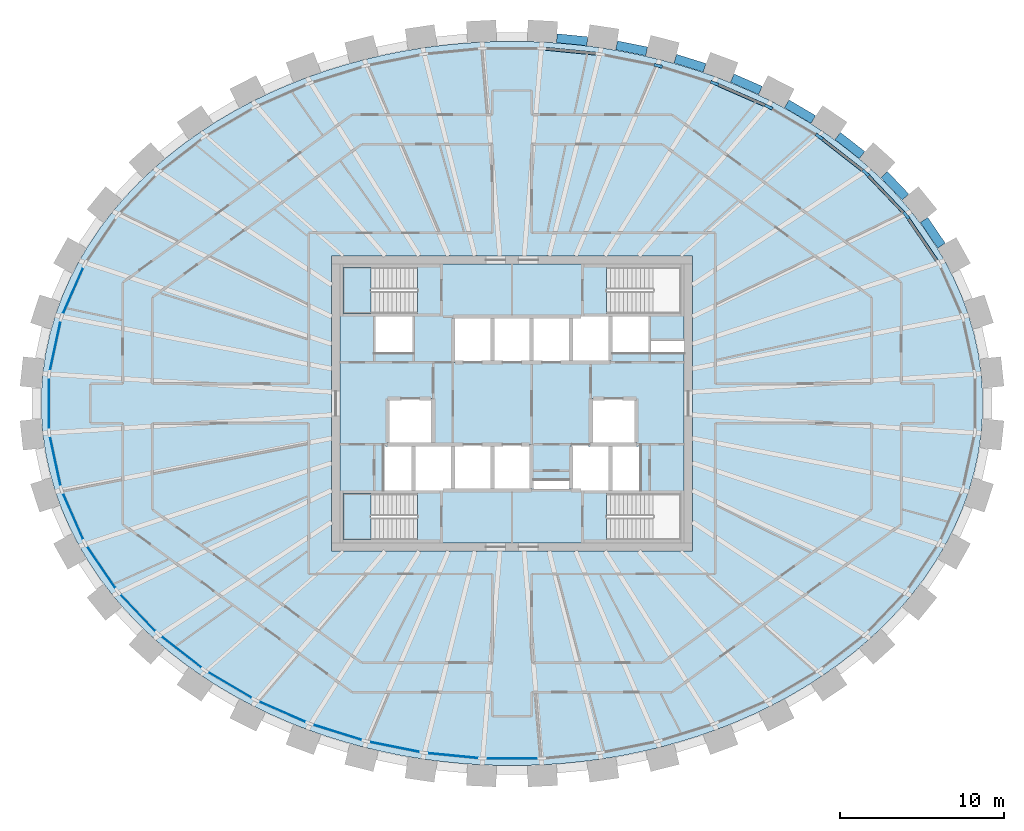
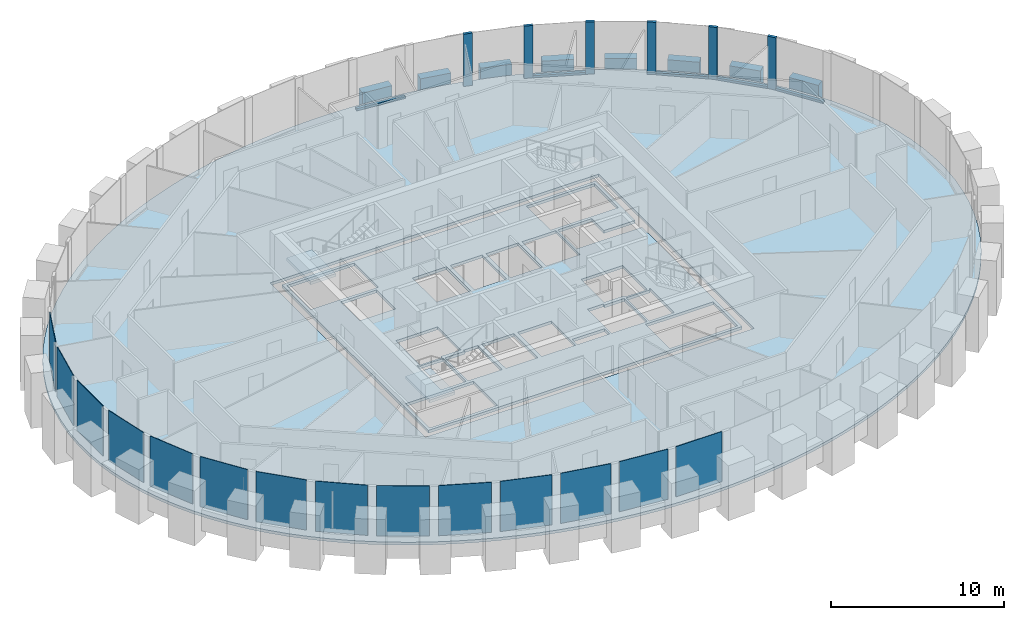
# One storey, part 4 of 11: 14 plates, 11 members, 8 beams, 4 slabs, 3 elements without a shape of their own.
"""IFC4 building model written with IfcOpenShell, lengths in metres."""

from ifc_helpers import new_model, si_unit, direction, frame, origin, origin_2d, place, context, subcontext, project, spatial, polyline, rectangle, outline, extrude, source, transform, mapped, material, layer, layer_set, material_profile, profile_set, type_object, element, aggregate, save


model = new_model("IFC4")

# Units and contexts
model_context = context("Model", 3, precision=1e-05, world=origin(), true_north=direction((0.0, 1.0)))
body_context = subcontext(model_context, "Body", "Model", "MODEL_VIEW")
ifc_project = project(units=[si_unit("LENGTHUNIT", "METRE"), si_unit("AREAUNIT", "SQUARE_METRE"), si_unit("VOLUMEUNIT", "CUBIC_METRE"), si_unit("PLANEANGLEUNIT", "RADIAN"), si_unit("MASSUNIT", "GRAM", prefix="KILO")], contexts=[model_context])

# Site, building, storey
site_placement = place(None, origin())
site = spatial("IfcSite", under=ifc_project, at=site_placement, CompositionType="ELEMENT")
building_placement = place(site_placement, origin())
building = spatial("IfcBuilding", under=site, at=building_placement, Name="Embergate Tower", CompositionType="ELEMENT")
storey_placement = place(building_placement, frame((0.0, 0.0, 324.699951171875)))
storey = spatial("IfcBuildingStorey", under=building, at=storey_placement, Name="L76", CompositionType="ELEMENT", Elevation=324.699951171875)

# Beams
ifc_material_1 = material(Name="Concrete C50", Category="concrete")
ifc_material_profile_1 = material_profile(ifc_material_1, rectangle(XDim=0.550048828125, YDim=1.5, at=origin_2d()), Name="RC 550x1500")
ifc_profile_set_1 = profile_set([ifc_material_profile_1], Name="Concrete C50")
beam_type = type_object("IfcBeamType", Name="Spandrel beam RC 550x1500 C50", PredefinedType="BEAM", material=ifc_profile_set_1)
shared_shape_1 = source(origin(), body_context, "Body", "SweptSolid", [
    extrude(rectangle(XDim=0.550048828125, YDim=1.5, at=origin_2d()), origin(), (0.0, 0.0, 1.0), 1.893798828125),
])
beam_1_placement = place(storey_placement, frame((26.194091796875, 9.6240234375, 0.0), z_axis=(-0.562440477268, 0.826837777034, 0.0), x_axis=(-0.826837777034, -0.562440477268, 0.0)))
element("IfcBeam", 1, at=beam_1_placement, inside=storey, type_object=beam_type, Name="SPN-L76-02", PredefinedType="BEAM", context=body_context, shape_type="MappedRepresentation", body=[
    mapped(shared_shape_1, transform((0.0, 0.0, 0.0))),
])
shared_shape_2 = source(origin(), body_context, "Body", "SweptSolid", [
    extrude(rectangle(XDim=0.550048828125, YDim=1.5, at=origin_2d()), origin(), (0.0, 0.0, 1.0), 1.8876953125),
])
beam_2_placement = place(storey_placement, frame((23.998046875, 12.590087890625, 0.0), z_axis=(-0.69022655599, 0.723593325982, 0.0), x_axis=(-0.723593325982, -0.69022655599, 0.0)))
element("IfcBeam", 2, at=beam_2_placement, inside=storey, type_object=beam_type, Name="SPN-L76-03", PredefinedType="BEAM", context=body_context, shape_type="MappedRepresentation", body=[
    mapped(shared_shape_2, transform((0.0, 0.0, 0.0))),
])
shared_shape_3 = source(origin(), body_context, "Body", "SweptSolid", [
    extrude(rectangle(XDim=0.550048828125, YDim=1.5, at=origin_2d()), origin(), (0.0, 0.0, 1.0), 1.88232421875),
])
beam_3_placement = place(storey_placement, frame((21.347900390625, 15.14990234375, 0.0), z_axis=(-0.788303508782, 0.615286582043, 0.0), x_axis=(-0.615286582043, -0.788303508782, 0.0)))
element("IfcBeam", 3, at=beam_3_placement, inside=storey, type_object=beam_type, Name="SPN-L76-04", PredefinedType="BEAM", context=body_context, shape_type="MappedRepresentation", body=[
    mapped(shared_shape_3, transform((0.0, 0.0, 0.0))),
])
shared_shape_4 = source(origin(), body_context, "Body", "SweptSolid", [
    extrude(rectangle(XDim=0.550048828125, YDim=1.5, at=origin_2d()), origin(), (0.0, 0.0, 1.0), 1.87939453125),
])
beam_4_placement = place(storey_placement, frame((18.3759765625, 17.320068359375, 0.0), z_axis=(-0.861930875636, 0.507025803708, 0.0), x_axis=(-0.507025803708, -0.861930875636, 0.0)))
element("IfcBeam", 4, at=beam_4_placement, inside=storey, type_object=beam_type, Name="SPN-L76-05", PredefinedType="BEAM", context=body_context, shape_type="MappedRepresentation", body=[
    mapped(shared_shape_4, transform((0.0, 0.0, 0.0))),
])
shared_shape_5 = source(origin(), body_context, "Body", "SweptSolid", [
    extrude(rectangle(XDim=0.550048828125, YDim=1.5, at=origin_2d()), origin(), (0.0, 0.0, 1.0), 1.876708984375),
])
beam_5_placement = place(storey_placement, frame((15.153076171875, 19.091064453125, 0.0), z_axis=(-0.916452657221, 0.400143133231, 0.0), x_axis=(-0.400143133231, -0.916452657221, 0.0)))
element("IfcBeam", 5, at=beam_5_placement, inside=storey, type_object=beam_type, Name="SPN-L76-06", PredefinedType="BEAM", context=body_context, shape_type="MappedRepresentation", body=[
    mapped(shared_shape_5, transform((0.0, 0.0, 0.0))),
])
shared_shape_6 = source(origin(), body_context, "Body", "SweptSolid", [
    extrude(rectangle(XDim=0.550048828125, YDim=1.5, at=origin_2d()), origin(), (0.0, 0.0, 1.0), 1.873779296875),
])
for number, where, z_axis, x_axis, name in (
    (6, (11.7470703125, 20.470947265625, 0.0), (-0.954776255033, 0.297325247542, 0.0), (-0.297325247542, -0.954776255033, 0.0), "SPN-L76-07"),
    (7, (8.214111328125, 21.472900390625, 0.0), (-0.980404898084, 0.196992984173, 0.0), (-0.196992984173, -0.980404898084, 0.0), "SPN-L76-08"),
):
    element("IfcBeam", number, at=place(storey_placement, frame(where, z_axis=z_axis, x_axis=x_axis)), inside=storey, type_object=beam_type, Name=name, PredefinedType="BEAM", context=body_context, shape_type="MappedRepresentation", body=[
        mapped(shared_shape_6, transform((0.0, 0.0, 0.0))),
    ])
shared_shape_7 = source(origin(), body_context, "Body", "SweptSolid", [
    extrude(rectangle(XDim=0.550048828125, YDim=1.5, at=origin_2d()), origin(), (0.0, 0.0, 1.0), 1.87109375),
])
beam_6_placement = place(storey_placement, frame((4.593994140625, 22.0869140625, 0.0), z_axis=(-0.995148946648, 0.098379743775, 0.0), x_axis=(-0.098379743775, -0.995148946648, 0.0)))
element("IfcBeam", 8, at=beam_6_placement, inside=storey, type_object=beam_type, Name="SPN-L76-09", PredefinedType="BEAM", context=body_context, shape_type="MappedRepresentation", body=[
    mapped(shared_shape_7, transform((0.0, 0.0, 0.0))),
])

# Curtain wall, members
ifc_material_2 = material(Name="Aluminium and glass", Category="aluminium")
curtain_wall_type = type_object("IfcCurtainWallType", Name="Recessed office glazing", PredefinedType="NOTDEFINED", material=ifc_material_2)
curtain_wall_placement = place(storey_placement, origin())
curtain_wall = element("IfcCurtainWall", 9, at=curtain_wall_placement, inside=storey, type_object=curtain_wall_type, Name="Recessed office glazing ring", ObjectType="RECESSED OFFICE GLAZING", PredefinedType="USERDEFINED")
ifc_material_3 = material(Name="Aluminium, thermally broken", Category="aluminium")
ifc_material_profile_2 = material_profile(ifc_material_3, rectangle(XDim=0.179931640625, YDim=0.52001953125, at=origin_2d()), Name="AL 520x180")
ifc_profile_set_2 = profile_set([ifc_material_profile_2], Name="Aluminium, thermally broken")
member_type_1 = type_object("IfcMemberType", Name="Office mullion", PredefinedType="MULLION", material=ifc_profile_set_2)
shared_shape_8 = source(origin(), body_context, "Body", "SweptSolid", [
    extrude(rectangle(XDim=0.179931640625, YDim=0.52001953125, at=origin_2d()), origin(), (0.0, 0.0, 1.0), 3.699951171875),
])
member_1_placement = place(storey_placement, frame((24.04248046875, 11.4658203125, 0.0), z_axis=(0.0, 0.0, 1.0), x_axis=(-0.777861596203, -0.628435626897, 0.0)))
member_1 = element("IfcMember", 10, at=member_1_placement, type_object=member_type_1, Name="CW mullion 4", PredefinedType="MULLION", context=body_context, shape_type="MappedRepresentation", body=[
    mapped(shared_shape_8, transform((0.0, 0.0, 0.0))),
])
member_2_placement = place(storey_placement, frame((21.57275390625, 14.0556640625, 0.0), z_axis=(0.0, 0.0, 1.0), x_axis=(-0.671217477801, -0.741260478843, 0.0)))
member_2 = element("IfcMember", 11, at=member_2_placement, type_object=member_type_1, Name="CW mullion 5", PredefinedType="MULLION", context=body_context, shape_type="MappedRepresentation", body=[
    mapped(shared_shape_8, transform((0.0, 0.0, 0.0))),
])
member_3_placement = place(storey_placement, frame((18.745849609375, 16.261962890625, 0.0), z_axis=(0.0, 0.0, 1.0), x_axis=(-0.562210401679, -0.82699423471, 0.0)))
member_3 = element("IfcMember", 12, at=member_3_placement, type_object=member_type_1, Name="CW mullion 6", PredefinedType="MULLION", context=body_context, shape_type="MappedRepresentation", body=[
    mapped(shared_shape_8, transform((0.0, 0.0, 0.0))),
])
member_4_placement = place(storey_placement, frame((15.649658203125, 18.08251953125, 0.0), z_axis=(0.0, 0.0, 1.0), x_axis=(-0.454508271251, -0.890742516872, 0.0)))
member_4 = element("IfcMember", 13, at=member_4_placement, type_object=member_type_1, Name="CW mullion 7", PredefinedType="MULLION", context=body_context, shape_type="MappedRepresentation", body=[
    mapped(shared_shape_8, transform((0.0, 0.0, 0.0))),
])
member_5_placement = place(storey_placement, frame((12.354736328125, 19.523193359375, 0.0), z_axis=(0.0, 0.0, 1.0), x_axis=(-0.349501047589, -0.936935973124, 0.0)))
member_5 = element("IfcMember", 14, at=member_5_placement, type_object=member_type_1, Name="CW mullion 8", PredefinedType="MULLION", context=body_context, shape_type="MappedRepresentation", body=[
    mapped(shared_shape_8, transform((0.0, 0.0, 0.0))),
])
member_6_placement = place(storey_placement, frame((8.918212890625, 20.593505859375, 0.0), z_axis=(0.0, 0.0, 1.0), x_axis=(-0.24731188137, -0.968935928394, 0.0)))
member_6 = element("IfcMember", 15, at=member_6_placement, type_object=member_type_1, Name="CW mullion 9", PredefinedType="MULLION", context=body_context, shape_type="MappedRepresentation", body=[
    mapped(shared_shape_8, transform((0.0, 0.0, 0.0))),
])
ifc_material_profile_3 = material_profile(ifc_material_3, rectangle(XDim=0.179931640625, YDim=0.14990234375, at=origin_2d()), Name="AL 150x180")
ifc_profile_set_3 = profile_set([ifc_material_profile_3], Name="Aluminium, thermally broken")
member_type_2 = type_object("IfcMemberType", Name="Office sill transom", PredefinedType="USERDEFINED", material=ifc_profile_set_3)
shared_shape_9 = source(origin(), body_context, "Body", "SweptSolid", [
    extrude(rectangle(XDim=0.179931640625, YDim=0.14990234375, at=origin_2d()), origin(), (0.0, 0.0, 1.0), 3.050537109375),
])
member_7_placement = place(storey_placement, frame((25.904052734375, 8.728515625, 0.074951171875), z_axis=(-0.562323156119, 0.826917570313, 0.0), x_axis=(-0.826917570313, -0.562323156119, 0.0)))
member_7 = element("IfcMember", 16, at=member_7_placement, type_object=member_type_2, Name="CW transom 3.1", ObjectType="TRANSOM", PredefinedType="USERDEFINED", context=body_context, shape_type="MappedRepresentation", body=[
    mapped(shared_shape_9, transform((0.0, 0.0, 0.0))),
])
shared_shape_10 = source(origin(), body_context, "Body", "SweptSolid", [
    extrude(rectangle(XDim=0.179931640625, YDim=0.14990234375, at=origin_2d()), origin(), (0.0, 0.0, 1.0), 3.05859375),
])
member_8_placement = place(storey_placement, frame((23.863037109375, 11.654052734375, 0.074951171875), z_axis=(-0.690145338974, 0.723670789167, 0.0), x_axis=(-0.723670789167, -0.690145338974, 0.0)))
member_8 = element("IfcMember", 17, at=member_8_placement, type_object=member_type_2, Name="CW transom 4.1", ObjectType="TRANSOM", PredefinedType="USERDEFINED", context=body_context, shape_type="MappedRepresentation", body=[
    mapped(shared_shape_10, transform((0.0, 0.0, 0.0))),
])
shared_shape_11 = source(origin(), body_context, "Body", "SweptSolid", [
    extrude(rectangle(XDim=0.179931640625, YDim=0.14990234375, at=origin_2d()), origin(), (0.0, 0.0, 1.0), 3.06591796875),
])
member_9_placement = place(storey_placement, frame((21.367919921875, 14.2158203125, 0.074951171875), z_axis=(-0.788347811485, 0.615229817326, 0.0), x_axis=(-0.615229817326, -0.788347811485, 0.0)))
member_9 = element("IfcMember", 18, at=member_9_placement, type_object=member_type_2, Name="CW transom 5.1", ObjectType="TRANSOM", PredefinedType="USERDEFINED", context=body_context, shape_type="MappedRepresentation", body=[
    mapped(shared_shape_11, transform((0.0, 0.0, 0.0))),
])
shared_shape_12 = source(origin(), body_context, "Body", "SweptSolid", [
    extrude(rectangle(XDim=0.179931640625, YDim=0.14990234375, at=origin_2d()), origin(), (0.0, 0.0, 1.0), 3.076171875),
])
member_10_placement = place(storey_placement, frame((15.41162109375, 18.1865234375, 0.074951171875), z_axis=(-0.916242921691, 0.400623150169, 0.0), x_axis=(-0.400623150169, -0.916242921691, 0.0)))
member_10 = element("IfcMember", 19, at=member_10_placement, type_object=member_type_2, Name="CW transom 7.1", ObjectType="TRANSOM", PredefinedType="USERDEFINED", context=body_context, shape_type="MappedRepresentation", body=[
    mapped(shared_shape_12, transform((0.0, 0.0, 0.0))),
])
shared_shape_13 = source(origin(), body_context, "Body", "SweptSolid", [
    extrude(rectangle(XDim=0.179931640625, YDim=0.14990234375, at=origin_2d()), origin(), (0.0, 0.0, 1.0), 3.0830078125),
])
member_11_placement = place(storey_placement, frame((5.12841796875, 21.326904296875, 0.074951171875), z_axis=(-0.995198169666, 0.09788055524, 0.0), x_axis=(-0.09788055524, -0.995198169666, 0.0)))
member_11 = element("IfcMember", 20, at=member_11_placement, type_object=member_type_2, Name="CW transom 10.1", ObjectType="TRANSOM", PredefinedType="USERDEFINED", context=body_context, shape_type="MappedRepresentation", body=[
    mapped(shared_shape_13, transform((0.0, 0.0, 0.0))),
])

# Slab
ifc_material_4 = material(Name="Concrete C40", Category="concrete")
ifc_layer_1 = layer(ifc_material_4, 0.199951171875)
ifc_layer_set_1 = layer_set([ifc_layer_1], Name="Concrete C40")
slab_type_1 = type_object("IfcSlabType", Name="Composite floor slab C40 200", PredefinedType="FLOOR", material=ifc_layer_set_1)
shared_shape_14 = source(origin(), body_context, "Body", "SweptSolid", [
    extrude(outline(polyline([(0.0, 0.0), (1.2138671875, 0.0), (2.427978515625, 0.0390625), (3.641845703125, 0.118896484375), (4.849853515625, 0.238037109375), (6.051025390625, 0.39599609375), (7.25390625, 0.594970703125), (8.44482421875, 0.833984375), (9.620849609375, 1.112060546875), (10.800048828125, 1.43408203125), (11.9599609375, 1.794921875), (13.097900390625, 2.194091796875), (14.23681640625, 2.64208984375), (15.349853515625, 3.12890625), (16.432861328125, 3.653076171875), (17.515869140625, 4.23095703125), (18.56298828125, 4.845947265625), (19.571044921875, 5.498046875), (20.573974609375, 6.208984375), (21.531005859375, 6.9560546875), (22.44091796875, 7.738037109375), (23.333984375, 8.5830078125), (24.171875, 9.4619140625), (24.951904296875, 10.37109375), (25.700927734375, 11.346923828125), (26.3828125, 12.35009765625), (26.998046875, 13.380126953125), (27.56103515625, 14.468994140625), (28.048828125, 15.5810546875), (28.458984375, 16.7099609375), (28.796875, 17.884033203125), (29.052978515625, 19.070068359375), (29.223876953125, 20.264892578125), (29.309814453125, 21.47607421875), (29.309814453125, 22.68994140625), (29.223876953125, 23.901123046875), (29.052978515625, 25.095947265625), (28.796875, 26.281982421875), (28.458984375, 27.4560546875), (28.048828125, 28.5849609375), (27.56103515625, 29.697021484375), (26.998046875, 30.785888671875), (26.3828125, 31.81591796875), (25.700927734375, 32.819091796875), (24.951904296875, 33.794921875), (24.171875, 34.7041015625), (23.333984375, 35.5830078125), (22.44091796875, 36.427978515625), (21.531005859375, 37.2099609375), (20.573974609375, 37.95703125), (19.571044921875, 38.66796875), (18.56298828125, 39.320068359375), (17.515869140625, 39.93505859375), (16.432861328125, 40.512939453125), (15.349853515625, 41.037109375), (14.23681640625, 41.52392578125), (13.097900390625, 41.971923828125), (11.9599609375, 42.37109375), (10.800048828125, 42.73193359375), (9.620849609375, 43.053955078125), (8.44482421875, 43.33203125), (7.25390625, 43.571044921875), (6.051025390625, 43.77001953125), (4.849853515625, 43.927978515625), (3.641845703125, 44.047119140625), (2.427978515625, 44.126953125), (1.2138671875, 44.166015625), (0.0, 44.166015625), (-1.214111328125, 44.126953125), (-2.427978515625, 44.047119140625), (-3.635986328125, 43.927978515625), (-4.837158203125, 43.77001953125), (-6.0400390625, 43.571044921875), (-7.23095703125, 43.33203125), (-8.406982421875, 43.053955078125), (-9.586181640625, 42.73193359375), (-10.74609375, 42.37109375), (-11.884033203125, 41.971923828125), (-13.02294921875, 41.52392578125), (-14.135986328125, 41.037109375), (-15.218994140625, 40.512939453125), (-16.302001953125, 39.93505859375), (-17.34912109375, 39.320068359375), (-18.357177734375, 38.66796875), (-19.360107421875, 37.95703125), (-20.317138671875, 37.2099609375), (-21.22705078125, 36.427978515625), (-22.1201171875, 35.5830078125), (-22.9580078125, 34.7041015625), (-23.738037109375, 33.794921875), (-24.487060546875, 32.819091796875), (-25.1689453125, 31.81591796875), (-25.7841796875, 30.785888671875), (-26.34716796875, 29.697021484375), (-26.8349609375, 28.5849609375), (-27.2451171875, 27.4560546875), (-27.5830078125, 26.281982421875), (-27.839111328125, 25.095947265625), (-28.010009765625, 23.901123046875), (-28.095947265625, 22.68994140625), (-28.095947265625, 21.47607421875), (-28.010009765625, 20.264892578125), (-27.839111328125, 19.070068359375), (-27.5830078125, 17.884033203125), (-27.2451171875, 16.7099609375), (-26.8349609375, 15.5810546875), (-26.34716796875, 14.468994140625), (-25.7841796875, 13.380126953125), (-25.1689453125, 12.35009765625), (-24.487060546875, 11.346923828125), (-23.738037109375, 10.37109375), (-22.9580078125, 9.4619140625), (-22.1201171875, 8.5830078125), (-21.22705078125, 7.738037109375), (-20.317138671875, 6.9560546875), (-19.360107421875, 6.208984375), (-18.357177734375, 5.498046875), (-17.34912109375, 4.845947265625), (-16.302001953125, 4.23095703125), (-15.218994140625, 3.653076171875), (-14.135986328125, 3.12890625), (-13.02294921875, 2.64208984375), (-11.884033203125, 2.194091796875), (-10.74609375, 1.794921875), (-9.586181640625, 1.43408203125), (-8.406982421875, 1.112060546875), (-7.23095703125, 0.833984375), (-6.0400390625, 0.594970703125), (-4.837158203125, 0.39599609375), (-3.635986328125, 0.238037109375), (-2.427978515625, 0.118896484375), (-1.214111328125, 0.0390625), (0.0, 0.0)]), holes=[polyline([(-10.39306640625, 13.0830078125), (-10.39306640625, 31.0830078125), (11.60693359375, 31.0830078125), (11.60693359375, 13.0830078125), (-10.39306640625, 13.0830078125)])]), origin(), (0.0, 0.0, 1.0), 0.199951171875),
])
slab_1_placement = place(storey_placement, frame((-0.60693359375, -22.0830078125, -0.199951171875)))
element("IfcSlab", 21, at=slab_1_placement, inside=storey, type_object=slab_type_1, Name="SLB-L76-00", PredefinedType="FLOOR", context=body_context, shape_type="MappedRepresentation", body=[
    mapped(shared_shape_14, transform((0.0, 0.0, 0.0))),
])

# Plate
ifc_material_5 = material(Name="Triple glazing, low-emissivity coating", Category="glass")
ifc_layer_2 = layer(ifc_material_5, 0.035888671875)
ifc_layer_set_2 = layer_set([ifc_layer_2], Name="Triple glazing, low-emissivity coating")
plate_type = type_object("IfcPlateType", Name="Office glazing unit", PredefinedType="CURTAIN_PANEL", material=ifc_layer_set_2)
shared_shape_15 = source(origin(), body_context, "Body", "SweptSolid", [
    extrude(rectangle(XDim=3.03515625, YDim=0.035888671875, at=origin_2d()), origin(), (0.0, 0.0, 1.0), 3.550048828125),
])
plate_1_placement = place(storey_placement, frame((-27.854736328125, 3.513916015625, 0.14990234375), z_axis=(0.0, 0.0, 1.0), x_axis=(-0.210400097438, -0.977615363524, 0.0)))
plate_1 = element("IfcPlate", 22, at=plate_1_placement, type_object=plate_type, Name="CW panel 21.1", PredefinedType="CURTAIN_PANEL", context=body_context, shape_type="MappedRepresentation", body=[
    mapped(shared_shape_15, transform((0.0, 0.0, 0.0))),
])

plate_2_placement = place(storey_placement, frame((-27.854736328125, -3.513916015625, 0.14990234375), z_axis=(0.0, 0.0, 1.0), x_axis=(0.210400097438, -0.977615363524, 0.0)))
plate_2 = element("IfcPlate", 23, at=plate_2_placement, type_object=plate_type, Name="CW panel 23.1", PredefinedType="CURTAIN_PANEL", context=body_context, shape_type="MappedRepresentation", body=[
    mapped(shared_shape_15, transform((0.0, 0.0, 0.0))),
])

shared_shape_16 = source(origin(), body_context, "Body", "SweptSolid", [
    extrude(rectangle(XDim=3.041748046875, YDim=0.035888671875, at=origin_2d()), origin(), (0.0, 0.0, 1.0), 3.550048828125),
])
plate_3_placement = place(storey_placement, frame((-26.765380859375, 6.8828125, 0.14990234375), z_axis=(0.0, 0.0, 1.0), x_axis=(-0.401653699516, -0.915791627864, 0.0)))
plate_3 = element("IfcPlate", 24, at=plate_3_placement, type_object=plate_type, Name="CW panel 20.1", PredefinedType="CURTAIN_PANEL", context=body_context, shape_type="MappedRepresentation", body=[
    mapped(shared_shape_16, transform((0.0, 0.0, 0.0))),
])

plate_4_placement = place(storey_placement, frame((-26.765380859375, -6.8828125, 0.14990234375), z_axis=(0.0, 0.0, 1.0), x_axis=(0.401653699516, -0.915791627864, 0.0)))
plate_4 = element("IfcPlate", 25, at=plate_4_placement, type_object=plate_type, Name="CW panel 24.1", PredefinedType="CURTAIN_PANEL", context=body_context, shape_type="MappedRepresentation", body=[
    mapped(shared_shape_16, transform((0.0, 0.0, 0.0))),
])

shared_shape_17 = source(origin(), body_context, "Body", "SweptSolid", [
    extrude(rectangle(XDim=3.05029296875, YDim=0.035888671875, at=origin_2d()), origin(), (0.0, 0.0, 1.0), 3.550048828125),
])
plate_5_placement = place(storey_placement, frame((-25.04638671875, -9.98974609375, 0.14990234375), z_axis=(0.0, 0.0, 1.0), x_axis=(0.562341741915, -0.826904931234, 0.0)))
plate_5 = element("IfcPlate", 26, at=plate_5_placement, type_object=plate_type, Name="CW panel 25.1", PredefinedType="CURTAIN_PANEL", context=body_context, shape_type="MappedRepresentation", body=[
    mapped(shared_shape_17, transform((0.0, 0.0, 0.0))),
])

shared_shape_18 = source(origin(), body_context, "Body", "SweptSolid", [
    extrude(rectangle(XDim=3.05859375, YDim=0.035888671875, at=origin_2d()), origin(), (0.0, 0.0, 1.0), 3.550048828125),
])
plate_6_placement = place(storey_placement, frame((-22.8076171875, -12.7607421875, 0.14990234375), z_axis=(0.0, 0.0, 1.0), x_axis=(0.6901325214, -0.723683012724, 0.0)))
plate_6 = element("IfcPlate", 27, at=plate_6_placement, type_object=plate_type, Name="CW panel 26.1", PredefinedType="CURTAIN_PANEL", context=body_context, shape_type="MappedRepresentation", body=[
    mapped(shared_shape_18, transform((0.0, 0.0, 0.0))),
])

shared_shape_19 = source(origin(), body_context, "Body", "SweptSolid", [
    extrude(rectangle(XDim=3.06591796875, YDim=0.035888671875, at=origin_2d()), origin(), (0.0, 0.0, 1.0), 3.550048828125),
])
plate_7_placement = place(storey_placement, frame((-20.1591796875, -15.15869140625, 0.14990234375), z_axis=(0.0, 0.0, 1.0), x_axis=(0.788317971569, -0.615268051911, 0.0)))
plate_7 = element("IfcPlate", 28, at=plate_7_placement, type_object=plate_type, Name="CW panel 27.1", PredefinedType="CURTAIN_PANEL", context=body_context, shape_type="MappedRepresentation", body=[
    mapped(shared_shape_19, transform((0.0, 0.0, 0.0))),
])

shared_shape_20 = source(origin(), body_context, "Body", "SweptSolid", [
    extrude(rectangle(XDim=3.07177734375, YDim=0.035888671875, at=origin_2d()), origin(), (0.0, 0.0, 1.0), 3.550048828125),
])
plate_8_placement = place(storey_placement, frame((-17.19775390625, -17.172119140625, 0.14990234375), z_axis=(0.0, 0.0, 1.0), x_axis=(0.862050514108, -0.506822366443, 0.0)))
plate_8 = element("IfcPlate", 29, at=plate_8_placement, type_object=plate_type, Name="CW panel 28.1", PredefinedType="CURTAIN_PANEL", context=body_context, shape_type="MappedRepresentation", body=[
    mapped(shared_shape_20, transform((0.0, 0.0, 0.0))),
])

shared_shape_21 = source(origin(), body_context, "Body", "SweptSolid", [
    extrude(rectangle(XDim=3.076171875, YDim=0.035888671875, at=origin_2d()), origin(), (0.0, 0.0, 1.0), 3.550048828125),
])
plate_9_placement = place(storey_placement, frame((-14.002197265625, -18.802734375, 0.14990234375), z_axis=(0.0, 0.0, 1.0), x_axis=(0.91623411399, -0.400643293168, 0.0)))
plate_9 = element("IfcPlate", 30, at=plate_9_placement, type_object=plate_type, Name="CW panel 29.1", PredefinedType="CURTAIN_PANEL", context=body_context, shape_type="MappedRepresentation", body=[
    mapped(shared_shape_21, transform((0.0, 0.0, 0.0))),
])

shared_shape_22 = source(origin(), body_context, "Body", "SweptSolid", [
    extrude(rectangle(XDim=3.079345703125, YDim=0.035888671875, at=origin_2d()), origin(), (0.0, 0.0, 1.0), 3.550048828125),
])
plate_10_placement = place(storey_placement, frame((-10.636474609375, -20.05810546875, 0.14990234375), z_axis=(0.0, 0.0, 1.0), x_axis=(0.954771179262, -0.297341546458, 0.0)))
plate_10 = element("IfcPlate", 31, at=plate_10_placement, type_object=plate_type, Name="CW panel 30.1", PredefinedType="CURTAIN_PANEL", context=body_context, shape_type="MappedRepresentation", body=[
    mapped(shared_shape_22, transform((0.0, 0.0, 0.0))),
])

shared_shape_23 = source(origin(), body_context, "Body", "SweptSolid", [
    extrude(rectangle(XDim=3.08154296875, YDim=0.035888671875, at=origin_2d()), origin(), (0.0, 0.0, 1.0), 3.550048828125),
])
plate_11_placement = place(storey_placement, frame((-7.152587890625, -20.947509765625, 0.14990234375), z_axis=(0.0, 0.0, 1.0), x_axis=(0.980475221003, -0.196642673395, 0.0)))
plate_11 = element("IfcPlate", 32, at=plate_11_placement, type_object=plate_type, Name="CW panel 31.1", PredefinedType="CURTAIN_PANEL", context=body_context, shape_type="MappedRepresentation", body=[
    mapped(shared_shape_23, transform((0.0, 0.0, 0.0))),
])

shared_shape_24 = source(origin(), body_context, "Body", "SweptSolid", [
    extrude(rectangle(XDim=3.082763671875, YDim=0.035888671875, at=origin_2d()), origin(), (0.0, 0.0, 1.0), 3.550048828125),
])
plate_12_placement = place(storey_placement, frame((-3.59423828125, -21.477783203125, 0.14990234375), z_axis=(0.0, 0.0, 1.0), x_axis=(0.995203014042, -0.097831287645, 0.0)))
plate_12 = element("IfcPlate", 33, at=plate_12_placement, type_object=plate_type, Name="CW panel 32.1", PredefinedType="CURTAIN_PANEL", context=body_context, shape_type="MappedRepresentation", body=[
    mapped(shared_shape_24, transform((0.0, 0.0, 0.0))),
])

shared_shape_25 = source(origin(), body_context, "Body", "SweptSolid", [
    extrude(rectangle(XDim=3.083251953125, YDim=0.035888671875, at=origin_2d()), origin(), (0.0, 0.0, 1.0), 3.550048828125),
])
plate_13_placement = place(storey_placement, frame((0.0, -21.654052734375, 0.14990234375), z_axis=(0.0, 0.0, 1.0), x_axis=(1.0, 0.0, 0.0)))
plate_13 = element("IfcPlate", 34, at=plate_13_placement, type_object=plate_type, Name="CW panel 33.1", PredefinedType="CURTAIN_PANEL", context=body_context, shape_type="MappedRepresentation", body=[
    mapped(shared_shape_25, transform((0.0, 0.0, 0.0))),
])

shared_shape_26 = source(origin(), body_context, "Body", "SweptSolid", [
    extrude(rectangle(XDim=3.032470703125, YDim=0.035888671875, at=origin_2d()), origin(), (0.0, 0.0, 1.0), 3.550048828125),
])
plate_14_placement = place(storey_placement, frame((-28.228759765625, 0.0, 0.14990234375), z_axis=(0.0, 0.0, 1.0), x_axis=(0.0, -1.0, 0.0)))
plate_14 = element("IfcPlate", 35, at=plate_14_placement, type_object=plate_type, Name="CW panel 22.1", PredefinedType="CURTAIN_PANEL", context=body_context, shape_type="MappedRepresentation", body=[
    mapped(shared_shape_26, transform((0.0, 0.0, 0.0))),
])

aggregate(curtain_wall, [member_1, member_2, member_3, member_4, member_5, member_6, member_7, member_8, member_9, member_10, member_11, plate_3, plate_1, plate_14, plate_2, plate_4, plate_5, plate_6, plate_7, plate_8, plate_9, plate_10, plate_11, plate_12, plate_13])

# Stair, slab
ifc_material_6 = material(Name="Exit stair")
stair_type = type_object("IfcStairType", Name="Exit stair", PredefinedType="HALF_TURN_STAIR", material=ifc_material_6)
stair_1_placement = place(storey_placement, origin())
stair_1 = element("IfcStair", 36, at=stair_1_placement, inside=storey, type_object=stair_type, Name="L76 Exit stair 1", PredefinedType="HALF_TURN_STAIR")
ifc_layer_3 = layer(ifc_material_4, 0.199951171875)
ifc_layer_set_3 = layer_set([ifc_layer_3], Name="Concrete C40")
slab_type_2 = type_object("IfcSlabType", Name="Stair landing reinforced concrete", PredefinedType="LANDING", material=ifc_layer_set_3)
shared_shape_27 = source(origin(), body_context, "Body", "SweptSolid", [
    extrude(outline(polyline([(0.0, 0.0), (1.68994140625, 0.0), (1.68994140625, 2.800048828125), (0.0, 2.800048828125), (0.0, 0.0)])), origin(), (0.0, 0.0, 1.0), 0.199951171875),
])
slab_2_placement = place(storey_placement, frame((-10.300048828125, 5.5, 1.75)))
slab_2 = element("IfcSlab", 37, at=slab_2_placement, type_object=slab_type_2, Name="ST1 landing 1", PredefinedType="LANDING", context=body_context, shape_type="MappedRepresentation", body=[
    mapped(shared_shape_27, transform((0.0, 0.0, 0.0))),
])
aggregate(stair_1, [slab_2])

stair_2_placement = place(storey_placement, origin())
stair_2 = element("IfcStair", 38, at=stair_2_placement, inside=storey, type_object=stair_type, Name="L76 Exit stair 3", PredefinedType="HALF_TURN_STAIR")
slab_3_placement = place(storey_placement, frame((-10.300048828125, -8.300048828125, 1.75)))
slab_3 = element("IfcSlab", 39, at=slab_3_placement, type_object=slab_type_2, Name="ST3 landing 1", PredefinedType="LANDING", context=body_context, shape_type="MappedRepresentation", body=[
    mapped(shared_shape_27, transform((0.0, 0.0, 0.0))),
])
aggregate(stair_2, [slab_3])

# Slab
ifc_layer_4 = layer(ifc_material_4, 0.199951171875)
ifc_layer_set_4 = layer_set([ifc_layer_4], Name="Concrete C40")
slab_type_3 = type_object("IfcSlabType", Name="Core floor slab 200 reinforced concrete", PredefinedType="FLOOR", material=ifc_layer_set_4)
shared_shape_28 = source(origin(), body_context, "Body", "SweptSolid", [
    extrude(outline(polyline([(0.0, 0.0), (21.0, 0.0), (21.0, 11.60009765625), (18.89990234375, 11.60009765625), (16.625, 11.60009765625), (16.625, 13.800048828125), (18.89990234375, 13.800048828125), (18.89990234375, 12.39990234375), (21.0, 12.39990234375), (21.0, 17.0), (0.0, 17.0), (0.0, 0.0)]), holes=[polyline([(0.199951171875, 0.199951171875), (0.199951171875, 3.0), (4.739990234375, 3.0), (4.739990234375, 0.199951171875), (0.199951171875, 0.199951171875)]), polyline([(16.260009765625, 0.199951171875), (16.260009765625, 3.0), (20.800048828125, 3.0), (20.800048828125, 0.199951171875), (16.260009765625, 0.199951171875)]), polyline([(2.699951171875, 3.199951171875), (2.699951171875, 6.0), (2.77490234375, 6.0), (2.77490234375, 5.875), (4.375, 5.875), (4.375, 3.199951171875), (2.699951171875, 3.199951171875)]), polyline([(4.5, 3.199951171875), (4.5, 5.875), (5.824951171875, 5.875), (5.824951171875, 6.0), (6.77490234375, 6.0), (6.77490234375, 3.199951171875), (4.5, 3.199951171875)]), polyline([(7.02490234375, 3.199951171875), (7.02490234375, 6.0), (9.175048828125, 6.0), (9.175048828125, 3.199951171875), (7.02490234375, 3.199951171875)]), polyline([(9.425048828125, 3.199951171875), (9.425048828125, 6.0), (11.699951171875, 6.0), (11.699951171875, 3.199951171875), (9.425048828125, 3.199951171875)]), polyline([(11.824951171875, 3.199951171875), (11.824951171875, 3.803955078125), (13.97509765625, 3.803955078125), (13.97509765625, 3.199951171875), (11.824951171875, 3.199951171875)]), polyline([(14.10009765625, 3.199951171875), (14.10009765625, 6.0), (15.175048828125, 6.0), (15.175048828125, 5.875), (16.5, 5.875), (16.5, 3.199951171875), (14.10009765625, 3.199951171875)]), polyline([(16.625, 3.199951171875), (16.625, 5.875), (18.22509765625, 5.875), (18.22509765625, 6.0), (18.300048828125, 6.0), (18.300048828125, 3.199951171875), (16.625, 3.199951171875)]), polyline([(2.89990234375, 6.0), (2.89990234375, 8.800048828125), (5.699951171875, 8.800048828125), (5.699951171875, 6.125), (4.375, 6.125), (4.375, 6.0), (2.89990234375, 6.0)]), polyline([(16.625, 6.0), (16.625, 6.125), (15.300048828125, 6.125), (15.300048828125, 8.800048828125), (18.10009765625, 8.800048828125), (18.10009765625, 6.0), (16.625, 6.0)]), polyline([(6.89990234375, 11.0), (6.89990234375, 13.800048828125), (9.175048828125, 13.800048828125), (9.175048828125, 11.0), (6.89990234375, 11.0)]), polyline([(9.425048828125, 11.0), (9.425048828125, 13.800048828125), (11.574951171875, 13.800048828125), (11.574951171875, 11.0), (9.425048828125, 11.0)]), polyline([(11.824951171875, 11.0), (11.824951171875, 13.800048828125), (13.97509765625, 13.800048828125), (13.97509765625, 11.0), (11.824951171875, 11.0)]), polyline([(14.22509765625, 11.0), (14.22509765625, 13.800048828125), (16.5, 13.800048828125), (16.5, 11.0), (14.22509765625, 11.0)]), polyline([(2.10009765625, 11.60009765625), (2.10009765625, 13.800048828125), (4.5, 13.800048828125), (4.5, 11.60009765625), (2.10009765625, 11.60009765625)]), polyline([(0.199951171875, 14.0), (0.199951171875, 16.800048828125), (4.739990234375, 16.800048828125), (4.739990234375, 14.0), (0.199951171875, 14.0)]), polyline([(16.260009765625, 14.0), (16.260009765625, 16.800048828125), (20.800048828125, 16.800048828125), (20.800048828125, 14.0), (16.260009765625, 14.0)])]), origin(), (0.0, 0.0, 1.0), 0.199951171875),
])
slab_4_placement = place(storey_placement, frame((-10.5, -8.5, -0.199951171875)))
element("IfcSlab", 40, at=slab_4_placement, inside=storey, type_object=slab_type_3, Name="Core floor slab", PredefinedType="FLOOR", context=body_context, shape_type="MappedRepresentation", body=[
    mapped(shared_shape_28, transform((0.0, 0.0, 0.0))),
])

save(model, "model.ifc")
